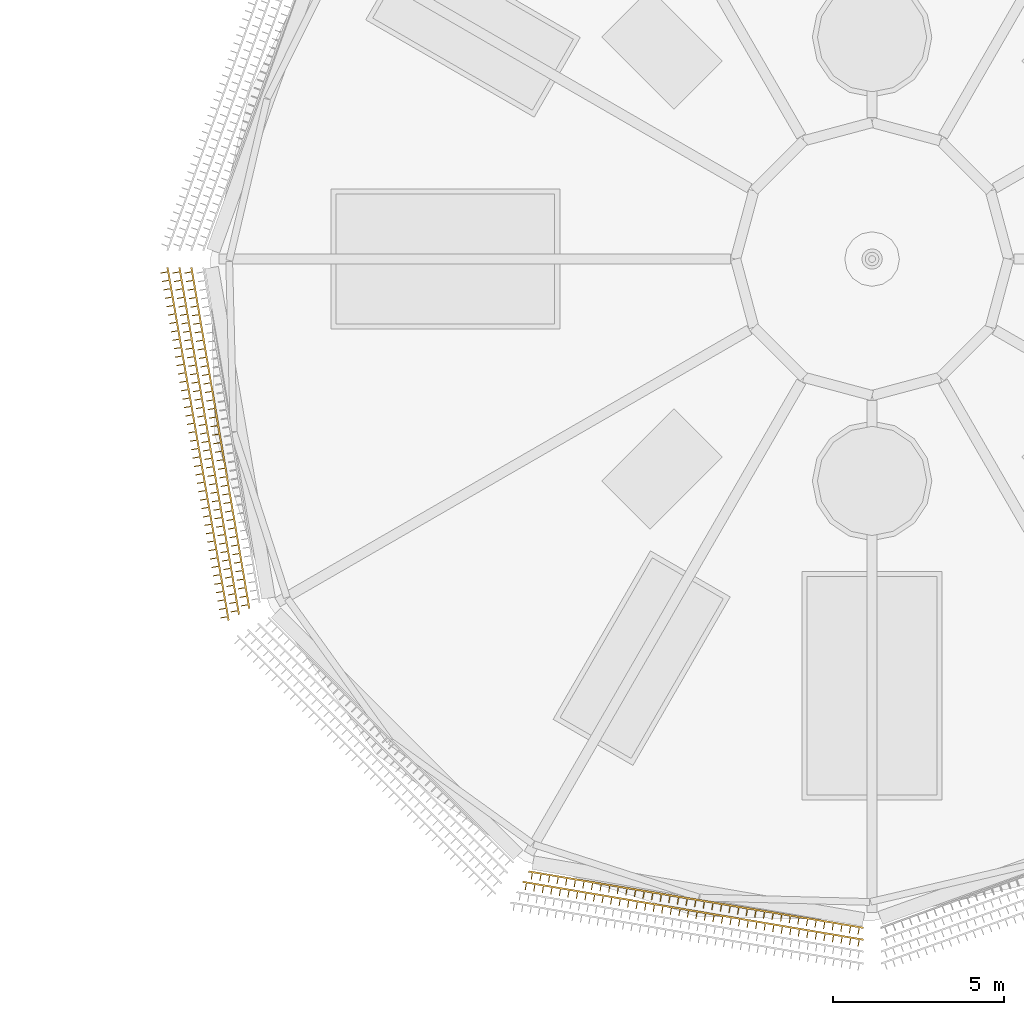
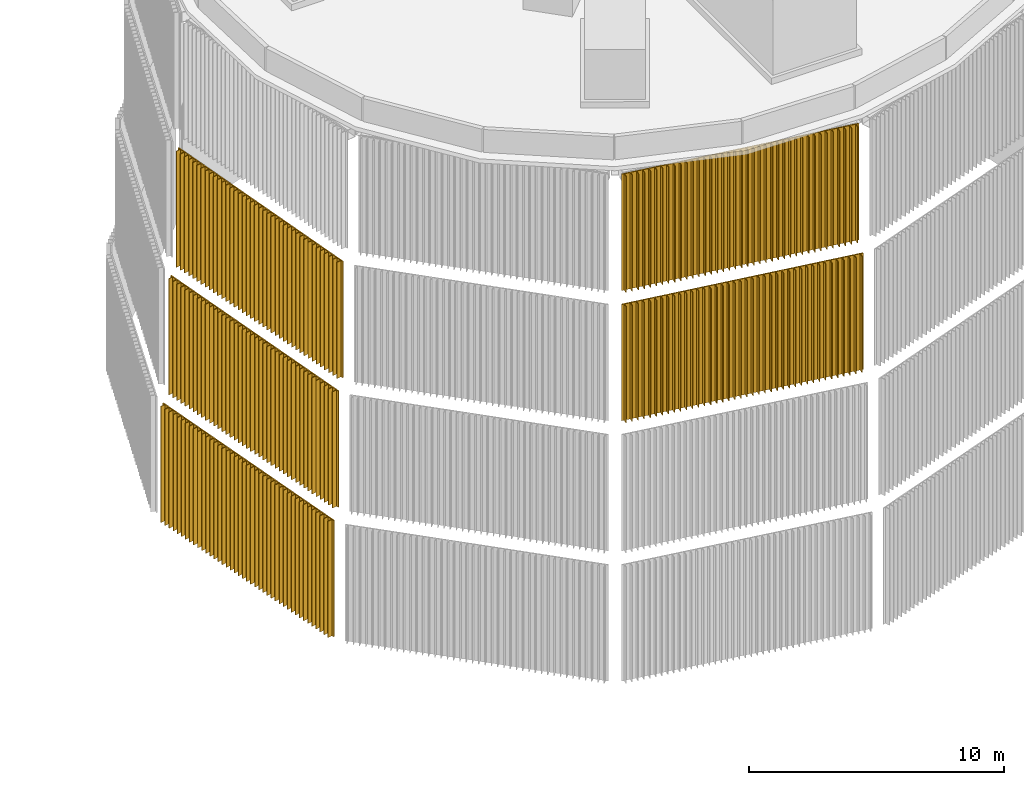
# One storey, part 14 of 24: 5 coverings.
"""IFC4 building model written with IfcOpenShell, lengths in metres."""

import ifcopenshell
import ifcopenshell.guid

model = None  # the IFC model being written
_history = None  # IfcOwnerHistory: only IFC2X3 demands one
_inside = {}  # id of a spatial element -> (the spatial element, [elements in it])
_under = {}  # id of a project, library or spatial element -> (it, [spatial elements below it])
_declared = {}  # id of a project -> (the project, [libraries it declares])
_typed = {}  # id of a type object -> (the type object, [elements of that type])
_made_of = {}  # id of a material, layer set ... -> (it, [elements and type objects made of it])


def new_model(schema):
    """Start an empty IFC model of exactly this schema.

    Asked for "IFC4X3", IfcOpenShell would pick the latest addendum, in which some entities
    have other attributes; the version numbers below select the first issue.
    IFC2X3 requires an IfcOwnerHistory on every rooted entity: one is made here for all.
    """
    global model, _history
    if schema == "IFC4X3":
        model = ifcopenshell.file(schema_version=(4, 3, 0, 0))
    else:
        model = ifcopenshell.file(schema=schema)
    _inside.clear()
    _under.clear()
    _declared.clear()
    _typed.clear()
    _made_of.clear()
    _history = None
    if model.schema == "IFC2X3":
        org = make("IfcOrganization", Name="unknown")
        user = make(
            "IfcPersonAndOrganization",
            ThePerson=make("IfcPerson", FamilyName="unknown"),
            TheOrganization=org,
        )
        app = make(
            "IfcApplication",
            ApplicationDeveloper=org,
            Version="unknown",
            ApplicationFullName="unknown",
            ApplicationIdentifier="unknown",
        )
        _history = make(
            "IfcOwnerHistory",
            OwningUser=user,
            OwningApplication=app,
            ChangeAction="ADDED",
            CreationDate=0,
        )
    return model


def make(cls, **values):
    """One entity of the class cls with the attributes given. An attribute that is None is left unset."""
    return model.create_entity(
        cls, **{name: value for name, value in values.items() if value is not None}
    )


def rooted(cls, **values):
    """An entity with a GlobalId (a new one), such as an element, a storey or a relation."""
    return make(cls, GlobalId=ifcopenshell.guid.new(), OwnerHistory=_history, **values)


def si_unit(unit_type, name, prefix=None):
    """IfcSIUnit, for example si_unit("LENGTHUNIT", "METRE", prefix="MILLI")."""
    return make("IfcSIUnit", UnitType=unit_type, Prefix=prefix, Name=name)


def assignment(units):
    """IfcUnitAssignment: the units of a project."""
    return None if units is None else make("IfcUnitAssignment", Units=units)


def point(xyz):
    """IfcCartesianPoint."""
    return None if xyz is None else make("IfcCartesianPoint", Coordinates=xyz)


def direction(xyz):
    """IfcDirection."""
    return None if xyz is None else make("IfcDirection", DirectionRatios=xyz)


def frame(location, z_axis=None, x_axis=None):
    """IfcAxis2Placement3D, a coordinate frame: its origin and axes. An axis left out is left unset."""
    return make(
        "IfcAxis2Placement3D",
        Location=point(location),
        Axis=direction(z_axis),
        RefDirection=direction(x_axis),
    )


def origin():
    """The frame at (0, 0, 0) with its axes left unset."""
    return frame((0.0, 0.0, 0.0))


def place(relative_to, where):
    """IfcLocalPlacement: puts the frame where relative to a parent placement (None: the world)."""
    return make(
        "IfcLocalPlacement", PlacementRelTo=relative_to, RelativePlacement=where
    )


def context(
    kind, dimensions, precision=None, world=None, true_north=None, identifier=None
):
    """IfcGeometricRepresentationContext, for example the 3D "Model" context."""
    return make(
        "IfcGeometricRepresentationContext",
        ContextIdentifier=identifier,
        ContextType=kind,
        CoordinateSpaceDimension=dimensions,
        Precision=precision,
        WorldCoordinateSystem=world,
        TrueNorth=true_north,
    )


def subcontext(parent, identifier, kind, view, scale=None):
    """IfcGeometricRepresentationSubContext, for example "Body" below "Model"."""
    return make(
        "IfcGeometricRepresentationSubContext",
        ContextIdentifier=identifier,
        ContextType=kind,
        ParentContext=parent,
        TargetScale=scale,
        TargetView=view,
    )


def project(units=None, contexts=None):
    """IfcProject with its units and contexts."""
    return rooted(
        "IfcProject",
        Name="project",
        RepresentationContexts=contexts,
        UnitsInContext=assignment(units),
    )


def spatial(cls, under=None, at=None, **own):
    """A site, building, storey or space (cls), placed at a placement, below another one or the project."""
    s = rooted(cls, ObjectPlacement=at, **own)
    if under is not None:
        _under.setdefault(under.id(), (under, []))[1].append(s)
    return s


def polyline(points):
    """IfcPolyline through the points."""
    return make("IfcPolyline", Points=[point(p) for p in points])


def outline(outer, holes=None, kind="AREA"):
    """IfcArbitraryClosedProfileDef: a profile drawn as a closed curve; with holes, ...WithVoids."""
    if holes is None:
        return make("IfcArbitraryClosedProfileDef", ProfileType=kind, OuterCurve=outer)
    return make(
        "IfcArbitraryProfileDefWithVoids",
        ProfileType=kind,
        OuterCurve=outer,
        InnerCurves=holes,
    )


def extrude(swept, where, along, depth):
    """IfcExtrudedAreaSolid: the profile swept, set in the frame where, extruded along a direction by depth."""
    return make(
        "IfcExtrudedAreaSolid",
        SweptArea=swept,
        Position=where,
        ExtrudedDirection=direction(along),
        Depth=depth,
    )


def shape(context_of_items, identifier, shape_type, items):
    """IfcShapeRepresentation: the items that make up one representation, for example the "Body"."""
    return make(
        "IfcShapeRepresentation",
        ContextOfItems=context_of_items,
        RepresentationIdentifier=identifier,
        RepresentationType=shape_type,
        Items=items,
    )


def material(Name=None, Category=None):
    """IfcMaterial."""
    return make("IfcMaterial", Name=Name, Category=Category)


def made_of(thing, what):
    """Note that an element or type object is made of a material, layer set ...; save() writes the relation."""
    if what is not None:
        _made_of.setdefault(what.id(), (what, []))[1].append(thing)
    return thing


def type_object(cls, material=None, **own):
    """A type object (cls), such as IfcWallType, which elements share."""
    return made_of(rooted(cls, **own), material)


def element(
    cls,
    number,
    at=None,
    inside=None,
    cuts=None,
    type_object=None,
    material=None,
    context=None,
    identifier="Body",
    shape_type=None,
    held_by="IfcProductDefinitionShape",
    body=None,
    shapes=None,
    **own,
):
    """One element of the class cls, such as IfcWall. Its Tag is "e" and its number.

    at: its placement. inside: the storey or other place that contains it. cuts: it is an
    opening in that element (IfcRelVoidsElement). A single representation is given by context,
    identifier, shape_type and body (its items); several are given by shapes. held_by: the class
    of the entity that holds the representations. save() writes the other relations.
    """
    e = rooted(cls, Tag="e%d" % number, ObjectPlacement=at, **own)
    if body is not None:
        shapes = [shape(context, identifier, shape_type, body)]
    if shapes is not None:
        e.Representation = make(held_by, Representations=shapes)
    if inside is not None:
        _inside.setdefault(inside.id(), (inside, []))[1].append(e)
    if cuts is not None:
        rooted(
            "IfcRelVoidsElement", RelatingBuildingElement=cuts, RelatedOpeningElement=e
        )
    if type_object is not None:
        _typed.setdefault(type_object.id(), (type_object, []))[1].append(e)
    return made_of(e, material)


def aggregate(whole, parts):
    """IfcRelAggregates: a whole, such as a stair, and the parts it consists of."""
    return rooted("IfcRelAggregates", RelatingObject=whole, RelatedObjects=parts)


def save(model, path):
    """Write the relations noted so far, then the file.

    IfcRelAggregates (storeys below a building ...), IfcRelContainedInSpatialStructure (elements
    in a storey), IfcRelDefinesByType, IfcRelAssociatesMaterial and IfcRelDeclares: one each for
    every whole, place, type object, material and project.
    """
    for whole, parts in _under.values():
        aggregate(whole, parts)
    for where, things in _inside.values():
        rooted(
            "IfcRelContainedInSpatialStructure",
            RelatedElements=things,
            RelatingStructure=where,
        )
    for kind, things in _typed.values():
        rooted("IfcRelDefinesByType", RelatedObjects=things, RelatingType=kind)
    for what, things in _made_of.values():
        rooted("IfcRelAssociatesMaterial", RelatedObjects=things, RelatingMaterial=what)
    for by, libraries in _declared.values():
        rooted("IfcRelDeclares", RelatingContext=by, RelatedDefinitions=libraries)
    model.write(path)


model = new_model("IFC4")

# Units and contexts
model_context = context("Model", 3, precision=1e-05, world=origin(), true_north=direction((0.0, 1.0)))
body_context = subcontext(model_context, "Body", "Model", "MODEL_VIEW")
ifc_project = project(units=[si_unit("LENGTHUNIT", "METRE"), si_unit("AREAUNIT", "SQUARE_METRE"), si_unit("VOLUMEUNIT", "CUBIC_METRE"), si_unit("PLANEANGLEUNIT", "RADIAN"), si_unit("MASSUNIT", "GRAM", prefix="KILO")], contexts=[model_context])

# Site, building, storey
site_placement = place(None, origin())
site = spatial("IfcSite", under=ifc_project, at=site_placement, CompositionType="ELEMENT")
building_placement = place(site_placement, origin())
building = spatial("IfcBuilding", under=site, at=building_placement, Name="Rimbun Link Towers", CompositionType="ELEMENT")
storey_placement = place(building_placement, frame((0.0, 0.0, 294.89990234375)))
storey = spatial("IfcBuildingStorey", under=building, at=storey_placement, Name="Roof cap", CompositionType="ELEMENT", Elevation=294.89990234375)

# Coverings
ifc_material = material(Name="Terracotta", Category="masonry")
covering_type = type_object("IfcCoveringType", Name="TERRACOTTA CLADDING screen fins", PredefinedType="CLADDING", material=ifc_material)
covering_1_placement = place(storey_placement, frame((0.0, 0.0, -23.087890625)))
element("IfcCovering", 1, at=covering_1_placement, inside=storey, type_object=covering_type, Name="TERRACOTTA CLADDING screen", PredefinedType="CLADDING", context=body_context, shape_type="SweptSolid", body=[
    extrude(outline(polyline([(11.083740234375, -0.25390625), (11.1025390625, -0.3623046875), (10.905517578125, -0.396484375), (10.91064453125, -0.426025390625), (11.107666015625, -0.39208984375), (11.145263671875, -0.60888671875), (10.947998046875, -0.64306640625), (10.953369140625, -0.672607421875), (11.150390625, -0.638427734375), (11.18798828125, -0.855224609375), (10.99072265625, -0.889404296875), (10.995849609375, -0.9189453125), (11.193115234375, -0.884765625), (11.230712890625, -1.101806640625), (11.033447265625, -1.1357421875), (11.03857421875, -1.165283203125), (11.235595703125, -1.131103515625), (11.273193359375, -1.34814453125), (11.076171875, -1.382080078125), (11.081298828125, -1.411865234375), (11.2783203125, -1.377685546875), (11.31591796875, -1.594482421875), (11.118896484375, -1.628662109375), (11.1240234375, -1.658203125), (11.321044921875, -1.6240234375), (11.358642578125, -1.8408203125), (11.16162109375, -1.875), (11.16650390625, -1.904541015625), (11.36376953125, -1.87060546875), (11.4013671875, -2.08740234375), (11.2041015625, -2.12158203125), (11.209228515625, -2.15087890625), (11.406494140625, -2.116943359375), (11.44384765625, -2.333740234375), (11.246826171875, -2.367919921875), (11.251953125, -2.3974609375), (11.44921875, -2.36328125), (11.486572265625, -2.580078125), (11.28955078125, -2.6142578125), (11.294677734375, -2.643798828125), (11.49169921875, -2.60986328125), (11.529296875, -2.82666015625), (11.332275390625, -2.860595703125), (11.33740234375, -2.890380859375), (11.534423828125, -2.856201171875), (11.572021484375, -3.072998046875), (11.375, -3.107177734375), (11.3798828125, -3.13671875), (11.5771484375, -3.1025390625), (11.614501953125, -3.3193359375), (11.41748046875, -3.353515625), (11.422607421875, -3.383056640625), (11.619873046875, -3.34912109375), (11.6572265625, -3.56591796875), (11.460205078125, -3.60009765625), (11.46533203125, -3.629638671875), (11.662353515625, -3.595458984375), (11.699951171875, -3.812255859375), (11.5029296875, -3.846435546875), (11.508056640625, -3.8759765625), (11.705078125, -3.841796875), (11.74267578125, -4.05859375), (11.545654296875, -4.0927734375), (11.55078125, -4.122314453125), (11.747802734375, -4.08837890625), (11.785400390625, -4.30517578125), (11.58837890625, -4.339111328125), (11.593505859375, -4.368896484375), (11.79052734375, -4.334716796875), (11.827880859375, -4.551513671875), (11.630859375, -4.585693359375), (11.635986328125, -4.615234375), (11.8330078125, -4.5810546875), (11.87060546875, -4.798095703125), (11.673583984375, -4.83203125), (11.6787109375, -4.861572265625), (11.875732421875, -4.827392578125), (11.913330078125, -5.04443359375), (11.71630859375, -5.07861328125), (11.721435546875, -5.108154296875), (11.91845703125, -5.073974609375), (11.9560546875, -5.290771484375), (11.759033203125, -5.324951171875), (11.76416015625, -5.3544921875), (11.961181640625, -5.3203125), (11.998779296875, -5.537109375), (11.801513671875, -5.5712890625), (11.806884765625, -5.600830078125), (12.00390625, -5.56689453125), (12.04150390625, -5.78369140625), (11.84423828125, -5.81787109375), (11.849365234375, -5.847412109375), (12.04638671875, -5.813232421875), (12.083984375, -6.030029296875), (11.886962890625, -6.064208984375), (11.89208984375, -6.09375), (12.089111328125, -6.0595703125), (12.126708984375, -6.276611328125), (11.9296875, -6.310546875), (11.934814453125, -6.340087890625), (12.1318359375, -6.305908203125), (12.16943359375, -6.52294921875), (11.972412109375, -6.556884765625), (11.9775390625, -6.586669921875), (12.174560546875, -6.552490234375), (12.212158203125, -6.769287109375), (12.014892578125, -6.803466796875), (12.02001953125, -6.8330078125), (12.21728515625, -6.798828125), (12.2548828125, -7.015625), (12.0576171875, -7.0498046875), (12.062744140625, -7.079345703125), (12.260009765625, -7.04541015625), (12.29736328125, -7.26220703125), (12.100341796875, -7.29638671875), (12.10546875, -7.32568359375), (12.302490234375, -7.291748046875), (12.340087890625, -7.508544921875), (12.14306640625, -7.542724609375), (12.148193359375, -7.572265625), (12.34521484375, -7.5380859375), (12.3828125, -7.7548828125), (12.185791015625, -7.7890625), (12.19091796875, -7.818603515625), (12.387939453125, -7.784423828125), (12.425537109375, -8.00146484375), (12.228515625, -8.035400390625), (12.2333984375, -8.065185546875), (12.4306640625, -8.031005859375), (12.468017578125, -8.247802734375), (12.27099609375, -8.281982421875), (12.276123046875, -8.3115234375), (12.473388671875, -8.27734375), (12.5107421875, -8.494140625), (12.313720703125, -8.5283203125), (12.31884765625, -8.557861328125), (12.515869140625, -8.523681640625), (12.553466796875, -8.740478515625), (12.3564453125, -8.77490234375), (12.361572265625, -8.80419921875), (12.55859375, -8.770263671875), (12.59619140625, -8.987060546875), (12.399169921875, -9.021240234375), (12.404296875, -9.05078125), (12.601318359375, -9.0166015625), (12.638916015625, -9.2333984375), (12.44189453125, -9.267578125), (12.447021484375, -9.297119140625), (12.64404296875, -9.262939453125), (12.681396484375, -9.47998046875), (12.484619140625, -9.513916015625), (12.489501953125, -9.543701171875), (12.6865234375, -9.509521484375), (12.72412109375, -9.726318359375), (12.527099609375, -9.760498046875), (12.5322265625, -9.7900390625), (12.729248046875, -9.755859375), (12.766845703125, -9.97265625), (12.56982421875, -10.0068359375), (12.574951171875, -10.036376953125), (12.77197265625, -10.002197265625), (12.8095703125, -10.21923828125), (12.612548828125, -10.25341796875), (12.61767578125, -10.28271484375), (12.814697265625, -10.248779296875), (12.852294921875, -10.465576171875), (12.6552734375, -10.499755859375), (12.660400390625, -10.529296875), (12.857421875, -10.4951171875), (12.876220703125, -10.603515625), (12.922119140625, -10.576904296875), (11.134521484375, -0.25390625), (11.083740234375, -0.25390625)])), origin(), (0.0, 0.0, 1.0), 5.575927734375),
])
covering_2_placement = place(storey_placement, frame((0.0, 0.0, -17.087890625)))
element("IfcCovering", 2, at=covering_2_placement, inside=storey, type_object=covering_type, Name="TERRACOTTA CLADDING screen", PredefinedType="CLADDING", context=body_context, shape_type="SweptSolid", body=[
    extrude(outline(polyline([(11.433837890625, -0.25390625), (11.452392578125, -0.36328125), (11.25537109375, -0.397216796875), (11.260498046875, -0.4267578125), (11.45751953125, -0.392822265625), (11.4951171875, -0.611572265625), (11.298095703125, -0.645263671875), (11.302978515625, -0.6748046875), (11.500244140625, -0.64111328125), (11.53759765625, -0.859619140625), (11.340576171875, -0.893310546875), (11.345703125, -0.923095703125), (11.542724609375, -0.88916015625), (11.580078125, -1.10791015625), (11.383056640625, -1.1416015625), (11.38818359375, -1.171142578125), (11.585205078125, -1.13720703125), (11.622802734375, -1.35595703125), (11.42578125, -1.389892578125), (11.430908203125, -1.419189453125), (11.6279296875, -1.385498046875), (11.665283203125, -1.60400390625), (11.46826171875, -1.637939453125), (11.473388671875, -1.66748046875), (11.67041015625, -1.6337890625), (11.7080078125, -1.852294921875), (11.5107421875, -1.885986328125), (11.515869140625, -1.91552734375), (11.712890625, -1.8818359375), (11.75048828125, -2.100341796875), (11.553466796875, -2.13427734375), (11.55859375, -2.163818359375), (11.755615234375, -2.1298828125), (11.793212890625, -2.3486328125), (11.595947265625, -2.38232421875), (11.60107421875, -2.412109375), (11.798095703125, -2.378173828125), (11.835693359375, -2.5966796875), (11.638427734375, -2.630615234375), (11.6435546875, -2.66015625), (11.8408203125, -2.626220703125), (11.878173828125, -2.844970703125), (11.68115234375, -2.878662109375), (11.686279296875, -2.908203125), (11.88330078125, -2.87451171875), (11.9208984375, -3.093017578125), (11.7236328125, -3.126953125), (11.728759765625, -3.156494140625), (11.92578125, -3.12255859375), (11.96337890625, -3.34130859375), (11.766357421875, -3.375), (11.771240234375, -3.404541015625), (11.968505859375, -3.370849609375), (12.005859375, -3.58935546875), (11.808837890625, -3.623291015625), (11.81396484375, -3.65283203125), (12.010986328125, -3.618896484375), (12.048583984375, -3.83740234375), (11.851318359375, -3.871337890625), (11.8564453125, -3.90087890625), (12.0537109375, -3.8671875), (12.091064453125, -4.085693359375), (11.89404296875, -4.119384765625), (11.89892578125, -4.149169921875), (12.09619140625, -4.115234375), (12.1337890625, -4.333984375), (11.9365234375, -4.36767578125), (11.941650390625, -4.397216796875), (12.138671875, -4.36328125), (12.17626953125, -4.58203125), (11.97900390625, -4.61572265625), (11.984130859375, -4.6455078125), (12.181396484375, -4.611572265625), (12.21875, -4.830078125), (12.021728515625, -4.864013671875), (12.02685546875, -4.8935546875), (12.223876953125, -4.85986328125), (12.261474609375, -5.078369140625), (12.064208984375, -5.1123046875), (12.0693359375, -5.1416015625), (12.266357421875, -5.10791015625), (12.303955078125, -5.326416015625), (12.106689453125, -5.3603515625), (12.11181640625, -5.389892578125), (12.30908203125, -5.356201171875), (12.346435546875, -5.57470703125), (12.1494140625, -5.6083984375), (12.154541015625, -5.637939453125), (12.3515625, -5.604248046875), (12.38916015625, -5.82275390625), (12.19189453125, -5.856689453125), (12.197021484375, -5.88623046875), (12.394287109375, -5.852294921875), (12.431640625, -6.071044921875), (12.234619140625, -6.104736328125), (12.239501953125, -6.134521484375), (12.436767578125, -6.1005859375), (12.47412109375, -6.319091796875), (12.277099609375, -6.35302734375), (12.2822265625, -6.382568359375), (12.479248046875, -6.3486328125), (12.516845703125, -6.5673828125), (12.319580078125, -6.60107421875), (12.32470703125, -6.630615234375), (12.52197265625, -6.596923828125), (12.559326171875, -6.8154296875), (12.3623046875, -6.849365234375), (12.3671875, -6.87890625), (12.564453125, -6.844970703125), (12.601806640625, -7.063720703125), (12.40478515625, -7.097412109375), (12.409912109375, -7.126953125), (12.60693359375, -7.09326171875), (12.64453125, -7.311767578125), (12.447509765625, -7.345703125), (12.452392578125, -7.375244140625), (12.649658203125, -7.34130859375), (12.68701171875, -7.559814453125), (12.489990234375, -7.59375), (12.4951171875, -7.623291015625), (12.692138671875, -7.589599609375), (12.729736328125, -7.80810546875), (12.532470703125, -7.841796875), (12.53759765625, -7.87158203125), (12.734619140625, -7.837646484375), (12.772216796875, -8.056396484375), (12.5751953125, -8.090087890625), (12.580078125, -8.11962890625), (12.77734375, -8.085693359375), (12.814697265625, -8.304443359375), (12.61767578125, -8.338134765625), (12.622802734375, -8.367919921875), (12.81982421875, -8.333984375), (12.857421875, -8.552490234375), (12.660400390625, -8.58642578125), (12.665283203125, -8.615966796875), (12.8623046875, -8.582275390625), (12.89990234375, -8.80078125), (12.702880859375, -8.834716796875), (12.7080078125, -8.864013671875), (12.905029296875, -8.830322265625), (12.9423828125, -9.048828125), (12.745361328125, -9.082763671875), (12.75048828125, -9.1123046875), (12.947509765625, -9.07861328125), (12.985107421875, -9.297119140625), (12.7880859375, -9.330810546875), (12.79296875, -9.360595703125), (12.990234375, -9.32666015625), (13.027587890625, -9.545166015625), (12.83056640625, -9.5791015625), (12.835693359375, -9.608642578125), (13.03271484375, -9.57470703125), (13.0703125, -9.79345703125), (12.873046875, -9.8271484375), (12.878173828125, -9.856689453125), (13.0751953125, -9.822998046875), (13.11279296875, -10.04150390625), (12.915771484375, -10.075439453125), (12.920654296875, -10.10498046875), (13.117919921875, -10.071044921875), (13.155517578125, -10.289794921875), (12.958251953125, -10.323486328125), (12.96337890625, -10.35302734375), (13.160400390625, -10.3193359375), (13.17919921875, -10.4287109375), (13.225341796875, -10.40185546875), (11.484619140625, -0.25390625), (11.433837890625, -0.25390625)])), origin(), (0.0, 0.0, 1.0), 5.575927734375),
])
covering_3_placement = place(storey_placement, frame((0.0, 0.0, -11.087890625)))
element("IfcCovering", 3, at=covering_3_placement, inside=storey, type_object=covering_type, Name="TERRACOTTA CLADDING screen", PredefinedType="CLADDING", context=body_context, shape_type="SweptSolid", body=[
    extrude(outline(polyline([(11.78369140625, -0.25390625), (11.802490234375, -0.3642578125), (11.605224609375, -0.397705078125), (11.6103515625, -0.42724609375), (11.8076171875, -0.393798828125), (11.844970703125, -0.6142578125), (11.647705078125, -0.647705078125), (11.65283203125, -0.67724609375), (11.85009765625, -0.643798828125), (11.887451171875, -0.8642578125), (11.690185546875, -0.897705078125), (11.6953125, -0.92724609375), (11.892578125, -0.893798828125), (11.929931640625, -1.1142578125), (11.732666015625, -1.147705078125), (11.73779296875, -1.17724609375), (11.934814453125, -1.143798828125), (11.972412109375, -1.3642578125), (11.775146484375, -1.397705078125), (11.7802734375, -1.42724609375), (11.977294921875, -1.393798828125), (12.014892578125, -1.6142578125), (11.817626953125, -1.647705078125), (11.82275390625, -1.67724609375), (12.019775390625, -1.643798828125), (12.057373046875, -1.864013671875), (11.860107421875, -1.897705078125), (11.864990234375, -1.92724609375), (12.062255859375, -1.893798828125), (12.099609375, -2.114013671875), (11.902587890625, -2.147705078125), (11.90771484375, -2.17724609375), (12.104736328125, -2.143798828125), (12.14208984375, -2.364013671875), (11.945068359375, -2.397705078125), (11.949951171875, -2.42724609375), (12.147216796875, -2.393798828125), (12.184814453125, -2.614013671875), (11.987548828125, -2.647705078125), (11.992431640625, -2.67724609375), (12.189697265625, -2.643798828125), (12.22705078125, -2.864013671875), (12.02978515625, -2.897705078125), (12.034912109375, -2.92724609375), (12.232177734375, -2.893798828125), (12.26953125, -3.114013671875), (12.072509765625, -3.147705078125), (12.077392578125, -3.17724609375), (12.274658203125, -3.143798828125), (12.31201171875, -3.364013671875), (12.114990234375, -3.397705078125), (12.119873046875, -3.42724609375), (12.317138671875, -3.393798828125), (12.3544921875, -3.614013671875), (12.1572265625, -3.647705078125), (12.162353515625, -3.677001953125), (12.359619140625, -3.643798828125), (12.39697265625, -3.864013671875), (12.19970703125, -3.897705078125), (12.204833984375, -3.927001953125), (12.402099609375, -3.8935546875), (12.439453125, -4.114013671875), (12.2421875, -4.1474609375), (12.247314453125, -4.177001953125), (12.444580078125, -4.1435546875), (12.48193359375, -4.364013671875), (12.28466796875, -4.3974609375), (12.289794921875, -4.427001953125), (12.48681640625, -4.3935546875), (12.5244140625, -4.614013671875), (12.3271484375, -4.6474609375), (12.332275390625, -4.677001953125), (12.529296875, -4.6435546875), (12.56689453125, -4.864013671875), (12.36962890625, -4.8974609375), (12.374755859375, -4.927001953125), (12.57177734375, -4.8935546875), (12.609375, -5.114013671875), (12.412109375, -5.1474609375), (12.4169921875, -5.177001953125), (12.6142578125, -5.1435546875), (12.651611328125, -5.364013671875), (12.45458984375, -5.3974609375), (12.459716796875, -5.427001953125), (12.65673828125, -5.3935546875), (12.694091796875, -5.614013671875), (12.4970703125, -5.6474609375), (12.502197265625, -5.677001953125), (12.69921875, -5.6435546875), (12.73681640625, -5.864013671875), (12.53955078125, -5.8974609375), (12.54443359375, -5.927001953125), (12.74169921875, -5.8935546875), (12.779052734375, -6.114013671875), (12.58203125, -6.1474609375), (12.5869140625, -6.177001953125), (12.7841796875, -6.1435546875), (12.821533203125, -6.364013671875), (12.62451171875, -6.3974609375), (12.62939453125, -6.427001953125), (12.82666015625, -6.3935546875), (12.864013671875, -6.614013671875), (12.6669921875, -6.6474609375), (12.671875, -6.677001953125), (12.869140625, -6.6435546875), (12.906494140625, -6.864013671875), (12.709228515625, -6.8974609375), (12.71435546875, -6.927001953125), (12.91162109375, -6.8935546875), (12.948974609375, -7.114013671875), (12.751708984375, -7.1474609375), (12.7568359375, -7.177001953125), (12.9541015625, -7.1435546875), (12.991455078125, -7.364013671875), (12.794189453125, -7.3974609375), (12.79931640625, -7.427001953125), (12.99658203125, -7.3935546875), (13.033935546875, -7.614013671875), (12.836669921875, -7.6474609375), (12.841796875, -7.677001953125), (13.038818359375, -7.6435546875), (13.076416015625, -7.864013671875), (12.879150390625, -7.8974609375), (12.88427734375, -7.927001953125), (13.081298828125, -7.8935546875), (13.118896484375, -8.114013671875), (12.921630859375, -8.1474609375), (12.9267578125, -8.177001953125), (13.123779296875, -8.1435546875), (13.161376953125, -8.364013671875), (12.964111328125, -8.3974609375), (12.968994140625, -8.427001953125), (13.166259765625, -8.3935546875), (13.20361328125, -8.614013671875), (13.006591796875, -8.6474609375), (13.01171875, -8.677001953125), (13.208740234375, -8.643310546875), (13.24609375, -8.864013671875), (13.049072265625, -8.8974609375), (13.05419921875, -8.927001953125), (13.251220703125, -8.893310546875), (13.288818359375, -9.114013671875), (13.091552734375, -9.147216796875), (13.096435546875, -9.177001953125), (13.293701171875, -9.143310546875), (13.3310546875, -9.36376953125), (13.134033203125, -9.397216796875), (13.138916015625, -9.427001953125), (13.336181640625, -9.393310546875), (13.37353515625, -9.61376953125), (13.176513671875, -9.647216796875), (13.181396484375, -9.677001953125), (13.378662109375, -9.643310546875), (13.416015625, -9.86376953125), (13.218994140625, -9.897216796875), (13.223876953125, -9.927001953125), (13.421142578125, -9.893310546875), (13.45849609375, -10.11376953125), (13.26123046875, -10.147216796875), (13.266357421875, -10.177001953125), (13.46337890625, -10.143310546875), (13.482421875, -10.253662109375), (13.5283203125, -10.226806640625), (11.83447265625, -0.25390625), (11.78369140625, -0.25390625)])), origin(), (0.0, 0.0, 1.0), 5.575927734375),
])
covering_4_placement = place(storey_placement, frame((0.0, 0.0, -11.087890625)))
element("IfcCovering", 4, at=covering_4_placement, inside=storey, type_object=covering_type, Name="TERRACOTTA CLADDING screen", PredefinedType="CLADDING", context=body_context, shape_type="SweptSolid", body=[
    extrude(outline(polyline([(21.496337890625, -18.267578125), (21.606689453125, -18.28662109375), (21.572998046875, -18.483642578125), (21.602783203125, -18.48876953125), (21.63623046875, -18.29150390625), (21.856689453125, -18.328857421875), (21.822998046875, -18.526123046875), (21.852783203125, -18.531005859375), (21.88623046875, -18.333984375), (22.106689453125, -18.371337890625), (22.072998046875, -18.568603515625), (22.102783203125, -18.573486328125), (22.13623046875, -18.37646484375), (22.356689453125, -18.413818359375), (22.322998046875, -18.611083984375), (22.352783203125, -18.615966796875), (22.38623046875, -18.4189453125), (22.606689453125, -18.456298828125), (22.572998046875, -18.653564453125), (22.602783203125, -18.658447265625), (22.635986328125, -18.461181640625), (22.856689453125, -18.498779296875), (22.822998046875, -18.69580078125), (22.8525390625, -18.700927734375), (22.885986328125, -18.50390625), (23.106689453125, -18.541259765625), (23.072998046875, -18.73828125), (23.1025390625, -18.743408203125), (23.135986328125, -18.54638671875), (23.3564453125, -18.583740234375), (23.322998046875, -18.781005859375), (23.3525390625, -18.785888671875), (23.385986328125, -18.588623046875), (23.6064453125, -18.626220703125), (23.572998046875, -18.8232421875), (23.6025390625, -18.828369140625), (23.635986328125, -18.631103515625), (23.8564453125, -18.668701171875), (23.822998046875, -18.86572265625), (23.8525390625, -18.870849609375), (23.885986328125, -18.673583984375), (24.1064453125, -18.711181640625), (24.072998046875, -18.908203125), (24.1025390625, -18.913330078125), (24.135986328125, -18.716064453125), (24.3564453125, -18.75341796875), (24.322998046875, -18.95068359375), (24.3525390625, -18.955810546875), (24.385986328125, -18.758544921875), (24.6064453125, -18.7958984375), (24.572998046875, -18.9931640625), (24.6025390625, -18.998291015625), (24.635986328125, -18.801025390625), (24.8564453125, -18.83837890625), (24.822998046875, -19.03564453125), (24.8525390625, -19.040771484375), (24.885986328125, -18.843505859375), (25.1064453125, -18.880859375), (25.072998046875, -19.078125), (25.1025390625, -19.0830078125), (25.135986328125, -18.885986328125), (25.3564453125, -18.92333984375), (25.322998046875, -19.12060546875), (25.3525390625, -19.12548828125), (25.385986328125, -18.928466796875), (25.6064453125, -18.9658203125), (25.572998046875, -19.1630859375), (25.6025390625, -19.16796875), (25.635986328125, -18.970947265625), (25.8564453125, -19.00830078125), (25.822998046875, -19.20556640625), (25.8525390625, -19.21044921875), (25.885986328125, -19.01318359375), (26.1064453125, -19.05078125), (26.072998046875, -19.247802734375), (26.1025390625, -19.2529296875), (26.135986328125, -19.055908203125), (26.3564453125, -19.09326171875), (26.322998046875, -19.290283203125), (26.3525390625, -19.29541015625), (26.385986328125, -19.098388671875), (26.6064453125, -19.1357421875), (26.572998046875, -19.3330078125), (26.6025390625, -19.337890625), (26.635986328125, -19.140625), (26.8564453125, -19.17822265625), (26.822998046875, -19.375244140625), (26.8525390625, -19.38037109375), (26.885986328125, -19.18310546875), (27.1064453125, -19.220703125), (27.072998046875, -19.417724609375), (27.1025390625, -19.4228515625), (27.135986328125, -19.2255859375), (27.3564453125, -19.26318359375), (27.322998046875, -19.460205078125), (27.3525390625, -19.46533203125), (27.385986328125, -19.26806640625), (27.6064453125, -19.305419921875), (27.572998046875, -19.502685546875), (27.6025390625, -19.5078125), (27.635986328125, -19.310546875), (27.8564453125, -19.347900390625), (27.822998046875, -19.545166015625), (27.852294921875, -19.55029296875), (27.885986328125, -19.35302734375), (28.106201171875, -19.390380859375), (28.072998046875, -19.587646484375), (28.102294921875, -19.5927734375), (28.135986328125, -19.3955078125), (28.356201171875, -19.432861328125), (28.32275390625, -19.630126953125), (28.352294921875, -19.635009765625), (28.385986328125, -19.43798828125), (28.606201171875, -19.475341796875), (28.57275390625, -19.672607421875), (28.602294921875, -19.677490234375), (28.635986328125, -19.48046875), (28.856201171875, -19.517822265625), (28.82275390625, -19.715087890625), (28.852294921875, -19.72021484375), (28.885986328125, -19.52294921875), (29.106201171875, -19.560302734375), (29.07275390625, -19.757568359375), (29.102294921875, -19.762451171875), (29.135986328125, -19.565185546875), (29.356201171875, -19.602783203125), (29.32275390625, -19.800048828125), (29.352294921875, -19.804931640625), (29.385986328125, -19.60791015625), (29.606201171875, -19.645263671875), (29.57275390625, -19.84228515625), (29.602294921875, -19.847412109375), (29.635986328125, -19.650390625), (29.856201171875, -19.687744140625), (29.82275390625, -19.885009765625), (29.852294921875, -19.889892578125), (29.885986328125, -19.692626953125), (30.106201171875, -19.730224609375), (30.07275390625, -19.92724609375), (30.102294921875, -19.932373046875), (30.1357421875, -19.735107421875), (30.356201171875, -19.772705078125), (30.32275390625, -19.9697265625), (30.352294921875, -19.974853515625), (30.3857421875, -19.777587890625), (30.606201171875, -19.815185546875), (30.57275390625, -20.01220703125), (30.602294921875, -20.017333984375), (30.6357421875, -19.820068359375), (30.856201171875, -19.857421875), (30.82275390625, -20.0546875), (30.852294921875, -20.059814453125), (30.8857421875, -19.862548828125), (31.106201171875, -19.89990234375), (31.07275390625, -20.09716796875), (31.102294921875, -20.102294921875), (31.1357421875, -19.905029296875), (31.356201171875, -19.9423828125), (31.32275390625, -20.1396484375), (31.352294921875, -20.144775390625), (31.3857421875, -19.947509765625), (31.49609375, -19.96630859375), (31.49609375, -19.91552734375), (21.523193359375, -18.2216796875), (21.496337890625, -18.267578125)])), origin(), (0.0, 0.0, 1.0), 5.575927734375),
])
covering_5_placement = place(storey_placement, frame((0.0, 0.0, -5.087890625)))
element("IfcCovering", 5, at=covering_5_placement, inside=storey, type_object=covering_type, Name="TERRACOTTA CLADDING screen", PredefinedType="CLADDING", context=body_context, shape_type="SweptSolid", body=[
    extrude(outline(polyline([(21.67138671875, -17.964599609375), (21.78271484375, -17.9833984375), (21.74951171875, -18.1806640625), (21.779052734375, -18.185546875), (21.81201171875, -17.98828125), (22.034423828125, -18.025634765625), (22.001220703125, -18.222900390625), (22.031005859375, -18.227783203125), (22.06396484375, -18.03076171875), (22.286376953125, -18.068115234375), (22.253173828125, -18.265380859375), (22.28271484375, -18.270263671875), (22.31591796875, -18.072998046875), (22.538330078125, -18.1103515625), (22.505126953125, -18.3076171875), (22.53466796875, -18.3125), (22.56787109375, -18.115478515625), (22.790283203125, -18.152587890625), (22.757080078125, -18.35009765625), (22.78662109375, -18.35498046875), (22.81982421875, -18.15771484375), (23.0419921875, -18.195068359375), (23.009033203125, -18.392333984375), (23.03857421875, -18.397216796875), (23.07177734375, -18.2001953125), (23.2939453125, -18.2373046875), (23.260986328125, -18.434814453125), (23.29052734375, -18.439697265625), (23.323486328125, -18.242431640625), (23.5458984375, -18.27978515625), (23.5126953125, -18.47705078125), (23.54248046875, -18.48193359375), (23.575439453125, -18.284912109375), (23.7978515625, -18.322021484375), (23.7646484375, -18.519287109375), (23.794189453125, -18.5244140625), (23.827392578125, -18.3271484375), (24.0498046875, -18.364501953125), (24.0166015625, -18.561767578125), (24.046142578125, -18.566650390625), (24.079345703125, -18.369384765625), (24.3017578125, -18.40673828125), (24.2685546875, -18.60400390625), (24.298095703125, -18.60888671875), (24.331298828125, -18.411865234375), (24.5537109375, -18.44921875), (24.5205078125, -18.646484375), (24.550048828125, -18.6513671875), (24.583251953125, -18.4541015625), (24.805419921875, -18.491455078125), (24.7724609375, -18.688720703125), (24.802001953125, -18.693603515625), (24.835205078125, -18.49658203125), (25.057373046875, -18.533935546875), (25.0244140625, -18.731201171875), (25.053955078125, -18.736083984375), (25.0869140625, -18.538818359375), (25.309326171875, -18.576171875), (25.276123046875, -18.7734375), (25.305908203125, -18.7783203125), (25.3388671875, -18.581298828125), (25.561279296875, -18.61865234375), (25.528076171875, -18.81591796875), (25.5576171875, -18.82080078125), (25.5908203125, -18.62353515625), (25.813232421875, -18.660888671875), (25.780029296875, -18.858154296875), (25.8095703125, -18.863037109375), (25.8427734375, -18.666015625), (26.065185546875, -18.703369140625), (26.031982421875, -18.900390625), (26.0615234375, -18.905517578125), (26.0947265625, -18.708251953125), (26.31689453125, -18.74560546875), (26.28369140625, -18.94287109375), (26.3134765625, -18.94775390625), (26.3466796875, -18.75048828125), (26.56884765625, -18.787841796875), (26.53564453125, -18.985107421875), (26.565185546875, -18.990234375), (26.598388671875, -18.79296875), (26.82080078125, -18.830322265625), (26.78759765625, -19.027587890625), (26.817138671875, -19.032470703125), (26.850341796875, -18.835205078125), (27.07275390625, -18.87255859375), (27.03955078125, -19.06982421875), (27.069091796875, -19.07470703125), (27.102294921875, -18.877685546875), (27.32470703125, -18.9150390625), (27.29150390625, -19.1123046875), (27.321044921875, -19.1171875), (27.354248046875, -18.919921875), (27.57666015625, -18.957275390625), (27.54345703125, -19.154541015625), (27.572998046875, -19.159423828125), (27.606201171875, -18.96240234375), (27.82861328125, -18.999755859375), (27.79541015625, -19.197021484375), (27.824951171875, -19.201904296875), (27.858154296875, -19.004638671875), (28.080322265625, -19.0419921875), (28.047119140625, -19.2392578125), (28.076904296875, -19.244140625), (28.110107421875, -19.047119140625), (28.332275390625, -19.08447265625), (28.299072265625, -19.281494140625), (28.32861328125, -19.28662109375), (28.36181640625, -19.08935546875), (28.584228515625, -19.126708984375), (28.551025390625, -19.323974609375), (28.58056640625, -19.328857421875), (28.61376953125, -19.131591796875), (28.836181640625, -19.169189453125), (28.802978515625, -19.3662109375), (28.83251953125, -19.371337890625), (28.86572265625, -19.174072265625), (29.087890625, -19.21142578125), (29.054931640625, -19.40869140625), (29.08447265625, -19.41357421875), (29.11767578125, -19.21630859375), (29.33984375, -19.25390625), (29.306884765625, -19.450927734375), (29.33642578125, -19.4560546875), (29.369384765625, -19.2587890625), (29.591796875, -19.296142578125), (29.55859375, -19.493408203125), (29.58837890625, -19.498291015625), (29.621337890625, -19.301025390625), (29.84375, -19.33837890625), (29.810546875, -19.53564453125), (29.840087890625, -19.540771484375), (29.873291015625, -19.343505859375), (30.095703125, -19.380859375), (30.0625, -19.577880859375), (30.092041015625, -19.5830078125), (30.125244140625, -19.3857421875), (30.34765625, -19.423095703125), (30.314453125, -19.620361328125), (30.343994140625, -19.62548828125), (30.377197265625, -19.427978515625), (30.599609375, -19.465576171875), (30.56640625, -19.66259765625), (30.595947265625, -19.667724609375), (30.629150390625, -19.470458984375), (30.851318359375, -19.5078125), (30.818359375, -19.705078125), (30.847900390625, -19.710205078125), (30.881103515625, -19.5126953125), (31.103271484375, -19.55029296875), (31.0703125, -19.747314453125), (31.099853515625, -19.75244140625), (31.1328125, -19.55517578125), (31.355224609375, -19.592529296875), (31.322021484375, -19.789794921875), (31.351806640625, -19.794677734375), (31.384765625, -19.597412109375), (31.49609375, -19.6162109375), (31.49609375, -19.5654296875), (21.697998046875, -17.91845703125), (21.67138671875, -17.964599609375)])), origin(), (0.0, 0.0, 1.0), 5.575927734375),
])

save(model, "model.ifc")
